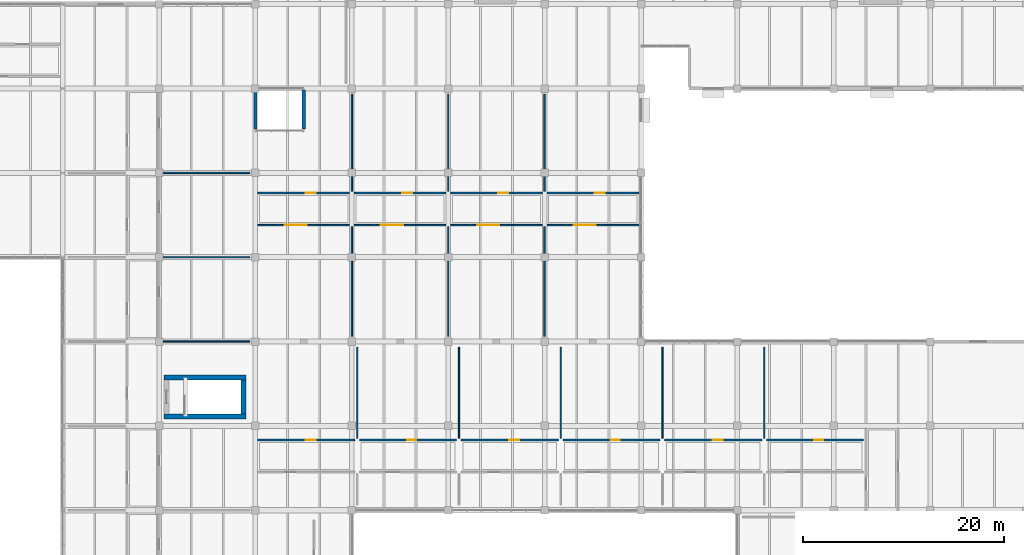
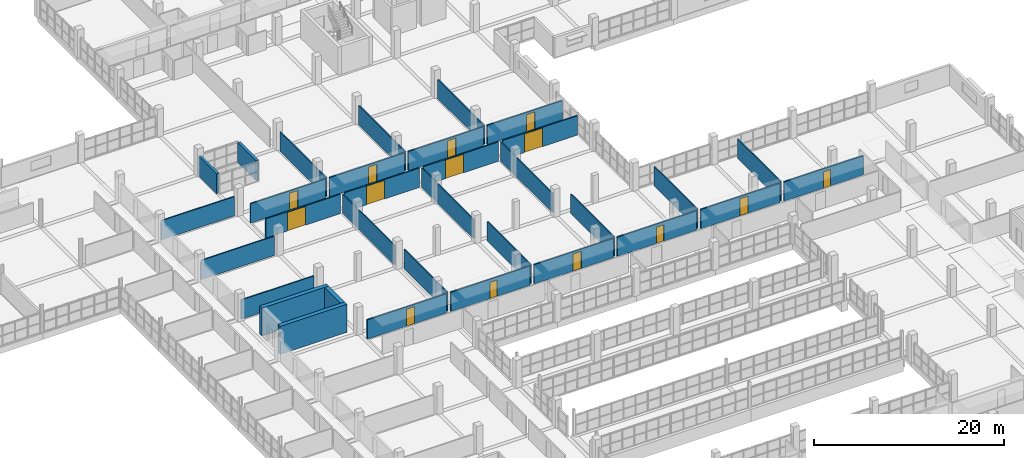
# One storey, part 129 of 147: 33 walls, 14 doors, 14 openings.
"""IFC4 building model written with IfcOpenShell, lengths in metres."""

from ifc_helpers import new_model, si_unit, direction, frame, frame_2d, origin, place, context, subcontext, project, spatial, rectangle, extrude, material, layer, layer_set, type_object, element, fill, save


model = new_model("IFC4")

# Units and contexts
model_context = context("Model", 3, precision=1e-05, world=origin(), true_north=direction((0.0, 1.0)))
body_context = subcontext(model_context, "Body", "Model", "MODEL_VIEW")
ifc_project = project(units=[si_unit("LENGTHUNIT", "METRE"), si_unit("AREAUNIT", "SQUARE_METRE"), si_unit("VOLUMEUNIT", "CUBIC_METRE"), si_unit("PLANEANGLEUNIT", "RADIAN"), si_unit("MASSUNIT", "GRAM", prefix="KILO")], contexts=[model_context])

# Site, building, storey
site_placement = place(None, origin())
site = spatial("IfcSite", under=ifc_project, at=site_placement, CompositionType="ELEMENT")
building_placement = place(site_placement, origin())
building = spatial("IfcBuilding", under=site, at=building_placement, Name="Oolite Switchyard Hospital", CompositionType="ELEMENT")
storey_placement = place(building_placement, frame((0.0, 0.0, 9.89990234375)))
storey = spatial("IfcBuildingStorey", under=building, at=storey_placement, Name="L02", CompositionType="ELEMENT", Elevation=9.89990234375)

# Walls
ifc_material_1 = material(Name="Precast oolitic limestone architectural concrete C40/50", Category="masonry")
ifc_layer_1 = layer(ifc_material_1, 0.300048828125)
ifc_layer_set_1 = layer_set([ifc_layer_1], Name="WAL-EXT-300")
wall_type_1 = type_object("IfcWallType", Name="WAL-EXT-300", PredefinedType="SOLIDWALL", material=ifc_layer_set_1)
wall_1_placement = place(storey_placement, frame((134.39990234375, 100.639892578125, 0.0), z_axis=(0.0, 0.0, 1.0), x_axis=(0.0, -1.0, 0.0)))
element("IfcWall", 1, at=wall_1_placement, inside=storey, type_object=wall_type_1, Name="L02 Exterior Spandrel Wall 161", PredefinedType="SOLIDWALL", context=body_context, shape_type="SweptSolid", body=[
    extrude(rectangle(XDim=3.8798828125, YDim=0.300048828125, at=frame_2d((1.93994140625, 0.0))), origin(), (0.0, 0.0, 1.0), 2.570068359375),
])
ifc_layer_2 = layer(ifc_material_1, 0.320068359375)
ifc_layer_set_2 = layer_set([ifc_layer_2], Name="WAL-EXT-320")
wall_type_2 = type_object("IfcWallType", Name="WAL-EXT-320", PredefinedType="SOLIDWALL", material=ifc_layer_set_2)
wall_2_placement = place(storey_placement, frame((139.199951171875, 96.760009765625, 0.0), z_axis=(0.0, 0.0, 1.0), x_axis=(0.0, 1.0, 0.0)))
element("IfcWall", 2, at=wall_2_placement, inside=storey, type_object=wall_type_2, Name="L02 Exterior Spandrel Wall 162", PredefinedType="SOLIDWALL", context=body_context, shape_type="SweptSolid", body=[
    extrude(rectangle(XDim=3.8798828125, YDim=0.320068359375, at=frame_2d((1.93994140625, 0.0))), origin(), (0.0, 0.0, 1.0), 2.570068359375),
])
ifc_material_2 = material(Name="Moisture-resistant gypsum board on steel studs", Category="steel")
ifc_layer_3 = layer(ifc_material_2, 0.135009765625)
ifc_layer_set_3 = layer_set([ifc_layer_3], Name="WAL-PART-135")
wall_type_3 = type_object("IfcWallType", Name="WAL-PART-135", PredefinedType="PARTITIONING", material=ifc_layer_set_3)
for number, where, z_axis, x_axis, name in (
    (3, (124.949951171875, 75.60009765625, 0.0), (0.0, 0.0, 1.0), (1.0, 0.0, 0.0), "L02 Interior Partition 483"),
    (4, (124.949951171875, 84.0, 0.0), (0.0, 0.0, 1.0), (1.0, 0.0, 0.0), "L02 Interior Partition 487"),
    (5, (124.949951171875, 92.39990234375, 0.0), (0.0, 0.0, 1.0), (1.0, 0.0, 0.0), "L02 Interior Partition 491"),
):
    element("IfcWall", number, at=place(storey_placement, frame(where, z_axis=z_axis, x_axis=x_axis)), inside=storey, type_object=wall_type_3, Name=name, PredefinedType="PARTITIONING", context=body_context, shape_type="SweptSolid", body=[
        extrude(rectangle(XDim=8.900146484375, YDim=0.135009765625, at=frame_2d((4.4501953125, 0.0))), origin(), (0.0, 0.0, 1.0), 2.47998046875),
    ])
wall_3_placement = place(storey_placement, frame((144.0, 76.14990234375, 0.0), z_axis=(0.0, 0.0, 1.0), x_axis=(0.0, 1.0, 0.0)))
element("IfcWall", 6, at=wall_3_placement, inside=storey, type_object=wall_type_3, Name="L02 Interior Partition 509", PredefinedType="PARTITIONING", context=body_context, shape_type="SweptSolid", body=[
    extrude(rectangle(XDim=10.900146484375, YDim=0.135009765625, at=frame_2d((5.4501953125, 0.0))), origin(), (0.0, 0.0, 1.0), 2.47998046875),
])
wall_4_placement = place(storey_placement, frame((144.0, 90.550048828125, 0.0), z_axis=(0.0, 0.0, 1.0), x_axis=(0.0, 1.0, 0.0)))
element("IfcWall", 7, at=wall_4_placement, inside=storey, type_object=wall_type_3, Name="L02 Interior Partition 511", PredefinedType="PARTITIONING", context=body_context, shape_type="SweptSolid", body=[
    extrude(rectangle(XDim=9.699951171875, YDim=0.135009765625, at=frame_2d((4.85009765625, 0.0))), origin(), (0.0, 0.0, 1.0), 2.47998046875),
])
wall_5_placement = place(storey_placement, frame((153.60009765625, 76.14990234375, 0.0), z_axis=(0.0, 0.0, 1.0), x_axis=(0.0, 1.0, 0.0)))
element("IfcWall", 8, at=wall_5_placement, inside=storey, type_object=wall_type_3, Name="L02 Interior Partition 513", PredefinedType="PARTITIONING", context=body_context, shape_type="SweptSolid", body=[
    extrude(rectangle(XDim=10.900146484375, YDim=0.135009765625, at=frame_2d((5.4501953125, 0.0))), origin(), (0.0, 0.0, 1.0), 2.47998046875),
])
wall_6_placement = place(storey_placement, frame((153.60009765625, 90.550048828125, 0.0), z_axis=(0.0, 0.0, 1.0), x_axis=(0.0, 1.0, 0.0)))
element("IfcWall", 9, at=wall_6_placement, inside=storey, type_object=wall_type_3, Name="L02 Interior Partition 515", PredefinedType="PARTITIONING", context=body_context, shape_type="SweptSolid", body=[
    extrude(rectangle(XDim=9.699951171875, YDim=0.135009765625, at=frame_2d((4.85009765625, 0.0))), origin(), (0.0, 0.0, 1.0), 2.47998046875),
])
wall_7_placement = place(storey_placement, frame((163.199951171875, 76.14990234375, 0.0), z_axis=(0.0, 0.0, 1.0), x_axis=(0.0, 1.0, 0.0)))
element("IfcWall", 10, at=wall_7_placement, inside=storey, type_object=wall_type_3, Name="L02 Interior Partition 517", PredefinedType="PARTITIONING", context=body_context, shape_type="SweptSolid", body=[
    extrude(rectangle(XDim=10.900146484375, YDim=0.135009765625, at=frame_2d((5.4501953125, 0.0))), origin(), (0.0, 0.0, 1.0), 2.47998046875),
])
wall_8_placement = place(storey_placement, frame((163.199951171875, 90.550048828125, 0.0), z_axis=(0.0, 0.0, 1.0), x_axis=(0.0, 1.0, 0.0)))
element("IfcWall", 11, at=wall_8_placement, inside=storey, type_object=wall_type_3, Name="L02 Interior Partition 519", PredefinedType="PARTITIONING", context=body_context, shape_type="SweptSolid", body=[
    extrude(rectangle(XDim=9.699951171875, YDim=0.135009765625, at=frame_2d((4.85009765625, 0.0))), origin(), (0.0, 0.0, 1.0), 2.47998046875),
])
for number, where, z_axis, x_axis, name in (
    (12, (144.532958984375, 65.949951171875, 0.0), (0.0, 0.0, 1.0), (0.0, 1.0, 0.0), "L02 Interior Partition 587"),
    (13, (154.666015625, 65.949951171875, 0.0), (0.0, 0.0, 1.0), (0.0, 1.0, 0.0), "L02 Interior Partition 591"),
    (14, (164.799072265625, 65.949951171875, 0.0), (0.0, 0.0, 1.0), (0.0, 1.0, 0.0), "L02 Interior Partition 595"),
    (15, (174.931884765625, 65.949951171875, 0.0), (0.0, 0.0, 1.0), (0.0, 1.0, 0.0), "L02 Interior Partition 599"),
    (16, (185.06494140625, 65.949951171875, 0.0), (0.0, 0.0, 1.0), (0.0, 1.0, 0.0), "L02 Interior Partition 603"),
):
    element("IfcWall", number, at=place(storey_placement, frame(where, z_axis=z_axis, x_axis=x_axis)), inside=storey, type_object=wall_type_3, Name=name, PredefinedType="PARTITIONING", context=body_context, shape_type="SweptSolid", body=[
        extrude(rectangle(XDim=9.10009765625, YDim=0.135009765625, at=frame_2d((4.550048828125, 0.0))), origin(), (0.0, 0.0, 1.0), 2.47998046875),
    ])

# Wall, opening, door
ifc_layer_4 = layer(ifc_material_2, 0.1650390625)
ifc_layer_set_4 = layer_set([ifc_layer_4], Name="WAL-PART-165")
wall_type_4 = type_object("IfcWallType", Name="WAL-PART-165", PredefinedType="PARTITIONING", material=ifc_layer_set_4)
wall_9_placement = place(storey_placement, frame((134.64990234375, 87.199951171875, 0.0), z_axis=(0.0, 0.0, 1.0), x_axis=(1.0, 0.0, 0.0)))
wall_9 = element("IfcWall", 17, at=wall_9_placement, inside=storey, type_object=wall_type_4, Name="L02 Interior Partition 506", PredefinedType="PARTITIONING", context=body_context, shape_type="SweptSolid", body=[
    extrude(rectangle(XDim=9.10009765625, YDim=0.1650390625, at=frame_2d((4.550048828125, 0.0))), origin(), (0.0, 0.0, 1.0), 2.47998046875),
])
opening_1_placement = place(wall_9_placement, frame((2.64990234375, 0.0, 0.0)))
opening_1 = element("IfcOpeningElement", 18, at=opening_1_placement, cuts=wall_9, Name="Opening D-0285", PredefinedType="OPENING", context=body_context, shape_type="SweptSolid", body=[
    extrude(rectangle(XDim=2.199951171875, YDim=2.39990234375, at=frame_2d((1.10009765625, 1.199951171875))), frame((0.0, 0.092529296875, 0.0), z_axis=(0.0, -1.0, 0.0), x_axis=(1.0, 0.0, 0.0)), (0.0, 0.0, 1.0), 0.18505859375),
])
ifc_material_3 = material(Name="Hollow metal fire-rated steel door assembly", Category="steel")
door_type_1 = type_object("IfcDoorType", Name="DR-PLNT-220X240", OperationType="NOTDEFINED", PredefinedType="DOOR", material=ifc_material_3)
door_1_placement = place(opening_1_placement, origin())
door_1 = element("IfcDoor", 19, at=door_1_placement, inside=storey, type_object=door_type_1, Name="L02 Interior Door D-0285", OperationType="DOUBLE_DOOR_SINGLE_SWING", OverallHeight=2.39990234375, OverallWidth=2.199951171875, PredefinedType="DOOR", context=body_context, shape_type="SweptSolid", body=[
    extrude(rectangle(XDim=2.199951171875, YDim=2.39990234375, at=frame_2d((1.10009765625, 1.199951171875))), frame((0.0, 0.02490234375, 0.0), z_axis=(0.0, -1.0, 0.0), x_axis=(1.0, 0.0, 0.0)), (0.0, 0.0, 1.0), 0.050048828125),
])
fill(opening_1, door_1)

wall_10_placement = place(storey_placement, frame((134.64990234375, 90.39990234375, 0.0), z_axis=(0.0, 0.0, 1.0), x_axis=(1.0, 0.0, 0.0)))
wall_10 = element("IfcWall", 20, at=wall_10_placement, inside=storey, type_object=wall_type_4, Name="L02 Interior Partition 507", PredefinedType="PARTITIONING", context=body_context, shape_type="SweptSolid", body=[
    extrude(rectangle(XDim=9.10009765625, YDim=0.1650390625, at=frame_2d((4.550048828125, 0.0))), origin(), (0.0, 0.0, 1.0), 2.47998046875),
])
opening_2_placement = place(wall_10_placement, frame((4.75, 0.0, 0.0)))
opening_2 = element("IfcOpeningElement", 21, at=opening_2_placement, cuts=wall_10, Name="Opening D-0286", PredefinedType="OPENING", context=body_context, shape_type="SweptSolid", body=[
    extrude(rectangle(XDim=1.0, YDim=2.199951171875, at=frame_2d((0.5, 1.10009765625))), frame((0.0, 0.092529296875, 0.0), z_axis=(0.0, -1.0, 0.0), x_axis=(1.0, 0.0, 0.0)), (0.0, 0.0, 1.0), 0.18505859375),
])
ifc_material_4 = material(Name="Solid-core antimicrobial hardwood leaf in steel frame", Category="steel")
door_type_2 = type_object("IfcDoorType", Name="DR-OFF-100X220", OperationType="NOTDEFINED", PredefinedType="DOOR", material=ifc_material_4)
door_2_placement = place(opening_2_placement, origin())
door_2 = element("IfcDoor", 22, at=door_2_placement, inside=storey, type_object=door_type_2, Name="L02 Interior Door D-0286", OperationType="SINGLE_SWING_RIGHT", OverallHeight=2.199951171875, OverallWidth=1.0, PredefinedType="DOOR", context=body_context, shape_type="SweptSolid", body=[
    extrude(rectangle(XDim=1.0, YDim=2.199951171875, at=frame_2d((0.5, 1.10009765625))), frame((0.0, 0.02490234375, 0.0), z_axis=(0.0, -1.0, 0.0), x_axis=(1.0, 0.0, 0.0)), (0.0, 0.0, 1.0), 0.050048828125),
])
fill(opening_2, door_2)

wall_11_placement = place(storey_placement, frame((144.25, 87.199951171875, 0.0), z_axis=(0.0, 0.0, 1.0), x_axis=(1.0, 0.0, 0.0)))
wall_11 = element("IfcWall", 23, at=wall_11_placement, inside=storey, type_object=wall_type_4, Name="L02 Interior Partition 508", PredefinedType="PARTITIONING", context=body_context, shape_type="SweptSolid", body=[
    extrude(rectangle(XDim=9.10009765625, YDim=0.1650390625, at=frame_2d((4.550048828125, 0.0))), origin(), (0.0, 0.0, 1.0), 2.47998046875),
])
opening_3_placement = place(wall_11_placement, frame((2.64990234375, 0.0, 0.0)))
opening_3 = element("IfcOpeningElement", 24, at=opening_3_placement, cuts=wall_11, Name="Opening D-0287", PredefinedType="OPENING", context=body_context, shape_type="SweptSolid", body=[
    extrude(rectangle(XDim=2.199951171875, YDim=2.39990234375, at=frame_2d((1.10009765625, 1.199951171875))), frame((0.0, 0.092529296875, 0.0), z_axis=(0.0, -1.0, 0.0), x_axis=(1.0, 0.0, 0.0)), (0.0, 0.0, 1.0), 0.18505859375),
])
door_3_placement = place(opening_3_placement, origin())
door_3 = element("IfcDoor", 25, at=door_3_placement, inside=storey, type_object=door_type_1, Name="L02 Interior Door D-0287", OperationType="DOUBLE_DOOR_SINGLE_SWING", OverallHeight=2.39990234375, OverallWidth=2.199951171875, PredefinedType="DOOR", context=body_context, shape_type="SweptSolid", body=[
    extrude(rectangle(XDim=2.199951171875, YDim=2.39990234375, at=frame_2d((1.10009765625, 1.199951171875))), frame((0.0, 0.02490234375, 0.0), z_axis=(0.0, -1.0, 0.0), x_axis=(1.0, 0.0, 0.0)), (0.0, 0.0, 1.0), 0.050048828125),
])
fill(opening_3, door_3)

wall_12_placement = place(storey_placement, frame((144.25, 90.39990234375, 0.0), z_axis=(0.0, 0.0, 1.0), x_axis=(1.0, 0.0, 0.0)))
wall_12 = element("IfcWall", 26, at=wall_12_placement, inside=storey, type_object=wall_type_4, Name="L02 Interior Partition 510", PredefinedType="PARTITIONING", context=body_context, shape_type="SweptSolid", body=[
    extrude(rectangle(XDim=9.10009765625, YDim=0.1650390625, at=frame_2d((4.550048828125, 0.0))), origin(), (0.0, 0.0, 1.0), 2.47998046875),
])
opening_4_placement = place(wall_12_placement, frame((4.75, 0.0, 0.0)))
opening_4 = element("IfcOpeningElement", 27, at=opening_4_placement, cuts=wall_12, Name="Opening D-0288", PredefinedType="OPENING", context=body_context, shape_type="SweptSolid", body=[
    extrude(rectangle(XDim=1.0, YDim=2.199951171875, at=frame_2d((0.5, 1.10009765625))), frame((0.0, 0.092529296875, 0.0), z_axis=(0.0, -1.0, 0.0), x_axis=(1.0, 0.0, 0.0)), (0.0, 0.0, 1.0), 0.18505859375),
])
door_4_placement = place(opening_4_placement, origin())
door_4 = element("IfcDoor", 28, at=door_4_placement, inside=storey, type_object=door_type_2, Name="L02 Interior Door D-0288", OperationType="SINGLE_SWING_LEFT", OverallHeight=2.199951171875, OverallWidth=1.0, PredefinedType="DOOR", context=body_context, shape_type="SweptSolid", body=[
    extrude(rectangle(XDim=1.0, YDim=2.199951171875, at=frame_2d((0.5, 1.10009765625))), frame((0.0, 0.02490234375, 0.0), z_axis=(0.0, -1.0, 0.0), x_axis=(1.0, 0.0, 0.0)), (0.0, 0.0, 1.0), 0.050048828125),
])
fill(opening_4, door_4)

wall_13_placement = place(storey_placement, frame((153.85009765625, 87.199951171875, 0.0), z_axis=(0.0, 0.0, 1.0), x_axis=(1.0, 0.0, 0.0)))
wall_13 = element("IfcWall", 29, at=wall_13_placement, inside=storey, type_object=wall_type_4, Name="L02 Interior Partition 512", PredefinedType="PARTITIONING", context=body_context, shape_type="SweptSolid", body=[
    extrude(rectangle(XDim=9.099853515625, YDim=0.1650390625, at=frame_2d((4.5498046875, 0.0))), origin(), (0.0, 0.0, 1.0), 2.47998046875),
])
opening_5_placement = place(wall_13_placement, frame((2.64990234375, 0.0, 0.0)))
opening_5 = element("IfcOpeningElement", 30, at=opening_5_placement, cuts=wall_13, Name="Opening D-0289", PredefinedType="OPENING", context=body_context, shape_type="SweptSolid", body=[
    extrude(rectangle(XDim=2.199951171875, YDim=2.39990234375, at=frame_2d((1.10009765625, 1.199951171875))), frame((0.0, 0.092529296875, 0.0), z_axis=(0.0, -1.0, 0.0), x_axis=(1.0, 0.0, 0.0)), (0.0, 0.0, 1.0), 0.18505859375),
])
door_5_placement = place(opening_5_placement, origin())
door_5 = element("IfcDoor", 31, at=door_5_placement, inside=storey, type_object=door_type_1, Name="L02 Interior Door D-0289", OperationType="DOUBLE_DOOR_SINGLE_SWING", OverallHeight=2.39990234375, OverallWidth=2.199951171875, PredefinedType="DOOR", context=body_context, shape_type="SweptSolid", body=[
    extrude(rectangle(XDim=2.199951171875, YDim=2.39990234375, at=frame_2d((1.10009765625, 1.199951171875))), frame((0.0, 0.02490234375, 0.0), z_axis=(0.0, -1.0, 0.0), x_axis=(1.0, 0.0, 0.0)), (0.0, 0.0, 1.0), 0.050048828125),
])
fill(opening_5, door_5)

wall_14_placement = place(storey_placement, frame((153.85009765625, 90.39990234375, 0.0), z_axis=(0.0, 0.0, 1.0), x_axis=(1.0, 0.0, 0.0)))
wall_14 = element("IfcWall", 32, at=wall_14_placement, inside=storey, type_object=wall_type_4, Name="L02 Interior Partition 514", PredefinedType="PARTITIONING", context=body_context, shape_type="SweptSolid", body=[
    extrude(rectangle(XDim=9.099853515625, YDim=0.1650390625, at=frame_2d((4.5498046875, 0.0))), origin(), (0.0, 0.0, 1.0), 2.47998046875),
])
opening_6_placement = place(wall_14_placement, frame((4.75, 0.0, 0.0)))
opening_6 = element("IfcOpeningElement", 33, at=opening_6_placement, cuts=wall_14, Name="Opening D-0290", PredefinedType="OPENING", context=body_context, shape_type="SweptSolid", body=[
    extrude(rectangle(XDim=1.0, YDim=2.199951171875, at=frame_2d((0.5, 1.10009765625))), frame((0.0, 0.092529296875, 0.0), z_axis=(0.0, -1.0, 0.0), x_axis=(1.0, 0.0, 0.0)), (0.0, 0.0, 1.0), 0.18505859375),
])
door_6_placement = place(opening_6_placement, origin())
door_6 = element("IfcDoor", 34, at=door_6_placement, inside=storey, type_object=door_type_2, Name="L02 Interior Door D-0290", OperationType="SINGLE_SWING_RIGHT", OverallHeight=2.199951171875, OverallWidth=1.0, PredefinedType="DOOR", context=body_context, shape_type="SweptSolid", body=[
    extrude(rectangle(XDim=1.0, YDim=2.199951171875, at=frame_2d((0.5, 1.10009765625))), frame((0.0, 0.02490234375, 0.0), z_axis=(0.0, -1.0, 0.0), x_axis=(1.0, 0.0, 0.0)), (0.0, 0.0, 1.0), 0.050048828125),
])
fill(opening_6, door_6)

wall_15_placement = place(storey_placement, frame((163.449951171875, 87.199951171875, 0.0), z_axis=(0.0, 0.0, 1.0), x_axis=(1.0, 0.0, 0.0)))
wall_15 = element("IfcWall", 35, at=wall_15_placement, inside=storey, type_object=wall_type_4, Name="L02 Interior Partition 516", PredefinedType="PARTITIONING", context=body_context, shape_type="SweptSolid", body=[
    extrude(rectangle(XDim=9.10009765625, YDim=0.1650390625, at=frame_2d((4.550048828125, 0.0))), origin(), (0.0, 0.0, 1.0), 2.47998046875),
])
opening_7_placement = place(wall_15_placement, frame((2.64990234375, 0.0, 0.0)))
opening_7 = element("IfcOpeningElement", 36, at=opening_7_placement, cuts=wall_15, Name="Opening D-0291", PredefinedType="OPENING", context=body_context, shape_type="SweptSolid", body=[
    extrude(rectangle(XDim=2.199951171875, YDim=2.39990234375, at=frame_2d((1.10009765625, 1.199951171875))), frame((0.0, 0.092529296875, 0.0), z_axis=(0.0, -1.0, 0.0), x_axis=(1.0, 0.0, 0.0)), (0.0, 0.0, 1.0), 0.18505859375),
])
door_7_placement = place(opening_7_placement, origin())
door_7 = element("IfcDoor", 37, at=door_7_placement, inside=storey, type_object=door_type_1, Name="L02 Interior Door D-0291", OperationType="DOUBLE_DOOR_SINGLE_SWING", OverallHeight=2.39990234375, OverallWidth=2.199951171875, PredefinedType="DOOR", context=body_context, shape_type="SweptSolid", body=[
    extrude(rectangle(XDim=2.199951171875, YDim=2.39990234375, at=frame_2d((1.10009765625, 1.199951171875))), frame((0.0, 0.02490234375, 0.0), z_axis=(0.0, -1.0, 0.0), x_axis=(1.0, 0.0, 0.0)), (0.0, 0.0, 1.0), 0.050048828125),
])
fill(opening_7, door_7)

wall_16_placement = place(storey_placement, frame((163.449951171875, 90.39990234375, 0.0), z_axis=(0.0, 0.0, 1.0), x_axis=(1.0, 0.0, 0.0)))
wall_16 = element("IfcWall", 38, at=wall_16_placement, inside=storey, type_object=wall_type_4, Name="L02 Interior Partition 518", PredefinedType="PARTITIONING", context=body_context, shape_type="SweptSolid", body=[
    extrude(rectangle(XDim=9.10009765625, YDim=0.1650390625, at=frame_2d((4.550048828125, 0.0))), origin(), (0.0, 0.0, 1.0), 2.47998046875),
])
opening_8_placement = place(wall_16_placement, frame((4.75, 0.0, 0.0)))
opening_8 = element("IfcOpeningElement", 39, at=opening_8_placement, cuts=wall_16, Name="Opening D-0292", PredefinedType="OPENING", context=body_context, shape_type="SweptSolid", body=[
    extrude(rectangle(XDim=1.0, YDim=2.199951171875, at=frame_2d((0.5, 1.10009765625))), frame((0.0, 0.092529296875, 0.0), z_axis=(0.0, -1.0, 0.0), x_axis=(1.0, 0.0, 0.0)), (0.0, 0.0, 1.0), 0.18505859375),
])
door_8_placement = place(opening_8_placement, origin())
door_8 = element("IfcDoor", 40, at=door_8_placement, inside=storey, type_object=door_type_2, Name="L02 Interior Door D-0292", OperationType="SINGLE_SWING_LEFT", OverallHeight=2.199951171875, OverallWidth=1.0, PredefinedType="DOOR", context=body_context, shape_type="SweptSolid", body=[
    extrude(rectangle(XDim=1.0, YDim=2.199951171875, at=frame_2d((0.5, 1.10009765625))), frame((0.0, 0.02490234375, 0.0), z_axis=(0.0, -1.0, 0.0), x_axis=(1.0, 0.0, 0.0)), (0.0, 0.0, 1.0), 0.050048828125),
])
fill(opening_8, door_8)

wall_17_placement = place(storey_placement, frame((134.64990234375, 65.800048828125, 0.0), z_axis=(0.0, 0.0, 1.0), x_axis=(1.0, 0.0, 0.0)))
wall_17 = element("IfcWall", 41, at=wall_17_placement, inside=storey, type_object=wall_type_4, Name="L02 Interior Partition 583", PredefinedType="PARTITIONING", context=body_context, shape_type="SweptSolid", body=[
    extrude(rectangle(XDim=9.633056640625, YDim=0.1650390625, at=frame_2d((4.81640625, 0.0))), origin(), (0.0, 0.0, 1.0), 2.47998046875),
])
opening_9_placement = place(wall_17_placement, frame((4.75, 0.0, 0.0)))
opening_9 = element("IfcOpeningElement", 42, at=opening_9_placement, cuts=wall_17, Name="Opening D-0328", PredefinedType="OPENING", context=body_context, shape_type="SweptSolid", body=[
    extrude(rectangle(XDim=1.0, YDim=2.199951171875, at=frame_2d((0.5, 1.10009765625))), frame((0.0, 0.092529296875, 0.0), z_axis=(0.0, -1.0, 0.0), x_axis=(1.0, 0.0, 0.0)), (0.0, 0.0, 1.0), 0.18505859375),
])
door_9_placement = place(opening_9_placement, origin())
door_9 = element("IfcDoor", 43, at=door_9_placement, inside=storey, type_object=door_type_2, Name="L02 Interior Door D-0328", OperationType="SINGLE_SWING_RIGHT", OverallHeight=2.199951171875, OverallWidth=1.0, PredefinedType="DOOR", context=body_context, shape_type="SweptSolid", body=[
    extrude(rectangle(XDim=1.0, YDim=2.199951171875, at=frame_2d((0.5, 1.10009765625))), frame((0.0, 0.02490234375, 0.0), z_axis=(0.0, -1.0, 0.0), x_axis=(1.0, 0.0, 0.0)), (0.0, 0.0, 1.0), 0.050048828125),
])
fill(opening_9, door_9)

wall_18_placement = place(storey_placement, frame((144.782958984375, 65.800048828125, 0.0), z_axis=(0.0, 0.0, 1.0), x_axis=(1.0, 0.0, 0.0)))
wall_18 = element("IfcWall", 44, at=wall_18_placement, inside=storey, type_object=wall_type_4, Name="L02 Interior Partition 586", PredefinedType="PARTITIONING", context=body_context, shape_type="SweptSolid", body=[
    extrude(rectangle(XDim=9.633056640625, YDim=0.1650390625, at=frame_2d((4.81640625, 0.0))), origin(), (0.0, 0.0, 1.0), 2.47998046875),
])
opening_10_placement = place(wall_18_placement, frame((4.75, 0.0, 0.0)))
opening_10 = element("IfcOpeningElement", 45, at=opening_10_placement, cuts=wall_18, Name="Opening D-0330", PredefinedType="OPENING", context=body_context, shape_type="SweptSolid", body=[
    extrude(rectangle(XDim=0.89990234375, YDim=2.10009765625, at=frame_2d((0.449951171875, 1.050048828125))), frame((0.0, 0.092529296875, 0.0), z_axis=(0.0, -1.0, 0.0), x_axis=(1.0, 0.0, 0.0)), (0.0, 0.0, 1.0), 0.18505859375),
])
door_type_3 = type_object("IfcDoorType", Name="DR-BATH-090X210", OperationType="NOTDEFINED", PredefinedType="DOOR", material=ifc_material_4)
door_10_placement = place(opening_10_placement, origin())
door_10 = element("IfcDoor", 46, at=door_10_placement, inside=storey, type_object=door_type_3, Name="L02 Interior Door D-0330", OperationType="SINGLE_SWING_LEFT", OverallHeight=2.10009765625, OverallWidth=0.89990234375, PredefinedType="DOOR", context=body_context, shape_type="SweptSolid", body=[
    extrude(rectangle(XDim=0.89990234375, YDim=2.10009765625, at=frame_2d((0.449951171875, 1.050048828125))), frame((0.0, 0.02490234375, 0.0), z_axis=(0.0, -1.0, 0.0), x_axis=(1.0, 0.0, 0.0)), (0.0, 0.0, 1.0), 0.050048828125),
])
fill(opening_10, door_10)

wall_19_placement = place(storey_placement, frame((154.916015625, 65.800048828125, 0.0), z_axis=(0.0, 0.0, 1.0), x_axis=(1.0, 0.0, 0.0)))
wall_19 = element("IfcWall", 47, at=wall_19_placement, inside=storey, type_object=wall_type_4, Name="L02 Interior Partition 590", PredefinedType="PARTITIONING", context=body_context, shape_type="SweptSolid", body=[
    extrude(rectangle(XDim=9.633056640625, YDim=0.1650390625, at=frame_2d((4.81640625, 0.0))), origin(), (0.0, 0.0, 1.0), 2.47998046875),
])
opening_11_placement = place(wall_19_placement, frame((4.75, 0.0, 0.0)))
opening_11 = element("IfcOpeningElement", 48, at=opening_11_placement, cuts=wall_19, Name="Opening D-0332", PredefinedType="OPENING", context=body_context, shape_type="SweptSolid", body=[
    extrude(rectangle(XDim=1.0, YDim=2.199951171875, at=frame_2d((0.5, 1.10009765625))), frame((0.0, 0.092529296875, 0.0), z_axis=(0.0, -1.0, 0.0), x_axis=(1.0, 0.0, 0.0)), (0.0, 0.0, 1.0), 0.18505859375),
])
door_11_placement = place(opening_11_placement, origin())
door_11 = element("IfcDoor", 49, at=door_11_placement, inside=storey, type_object=door_type_2, Name="L02 Interior Door D-0332", OperationType="SINGLE_SWING_RIGHT", OverallHeight=2.199951171875, OverallWidth=1.0, PredefinedType="DOOR", context=body_context, shape_type="SweptSolid", body=[
    extrude(rectangle(XDim=1.0, YDim=2.199951171875, at=frame_2d((0.5, 1.10009765625))), frame((0.0, 0.02490234375, 0.0), z_axis=(0.0, -1.0, 0.0), x_axis=(1.0, 0.0, 0.0)), (0.0, 0.0, 1.0), 0.050048828125),
])
fill(opening_11, door_11)

wall_20_placement = place(storey_placement, frame((165.049072265625, 65.800048828125, 0.0), z_axis=(0.0, 0.0, 1.0), x_axis=(1.0, 0.0, 0.0)))
wall_20 = element("IfcWall", 50, at=wall_20_placement, inside=storey, type_object=wall_type_4, Name="L02 Interior Partition 594", PredefinedType="PARTITIONING", context=body_context, shape_type="SweptSolid", body=[
    extrude(rectangle(XDim=9.6328125, YDim=0.1650390625, at=frame_2d((4.81640625, 0.0))), origin(), (0.0, 0.0, 1.0), 2.47998046875),
])
opening_12_placement = place(wall_20_placement, frame((4.75, 0.0, 0.0)))
opening_12 = element("IfcOpeningElement", 51, at=opening_12_placement, cuts=wall_20, Name="Opening D-0334", PredefinedType="OPENING", context=body_context, shape_type="SweptSolid", body=[
    extrude(rectangle(XDim=0.89990234375, YDim=2.10009765625, at=frame_2d((0.449951171875, 1.050048828125))), frame((0.0, 0.092529296875, 0.0), z_axis=(0.0, -1.0, 0.0), x_axis=(1.0, 0.0, 0.0)), (0.0, 0.0, 1.0), 0.18505859375),
])
door_12_placement = place(opening_12_placement, origin())
door_12 = element("IfcDoor", 52, at=door_12_placement, inside=storey, type_object=door_type_3, Name="L02 Interior Door D-0334", OperationType="SINGLE_SWING_LEFT", OverallHeight=2.10009765625, OverallWidth=0.89990234375, PredefinedType="DOOR", context=body_context, shape_type="SweptSolid", body=[
    extrude(rectangle(XDim=0.89990234375, YDim=2.10009765625, at=frame_2d((0.449951171875, 1.050048828125))), frame((0.0, 0.02490234375, 0.0), z_axis=(0.0, -1.0, 0.0), x_axis=(1.0, 0.0, 0.0)), (0.0, 0.0, 1.0), 0.050048828125),
])
fill(opening_12, door_12)

wall_21_placement = place(storey_placement, frame((175.181884765625, 65.800048828125, 0.0), z_axis=(0.0, 0.0, 1.0), x_axis=(1.0, 0.0, 0.0)))
wall_21 = element("IfcWall", 53, at=wall_21_placement, inside=storey, type_object=wall_type_4, Name="L02 Interior Partition 598", PredefinedType="PARTITIONING", context=body_context, shape_type="SweptSolid", body=[
    extrude(rectangle(XDim=9.633056640625, YDim=0.1650390625, at=frame_2d((4.81640625, 0.0))), origin(), (0.0, 0.0, 1.0), 2.47998046875),
])
opening_13_placement = place(wall_21_placement, frame((4.75, 0.0, 0.0)))
opening_13 = element("IfcOpeningElement", 54, at=opening_13_placement, cuts=wall_21, Name="Opening D-0336", PredefinedType="OPENING", context=body_context, shape_type="SweptSolid", body=[
    extrude(rectangle(XDim=1.0, YDim=2.199951171875, at=frame_2d((0.5, 1.10009765625))), frame((0.0, 0.092529296875, 0.0), z_axis=(0.0, -1.0, 0.0), x_axis=(1.0, 0.0, 0.0)), (0.0, 0.0, 1.0), 0.18505859375),
])
door_13_placement = place(opening_13_placement, origin())
door_13 = element("IfcDoor", 55, at=door_13_placement, inside=storey, type_object=door_type_2, Name="L02 Interior Door D-0336", OperationType="SINGLE_SWING_RIGHT", OverallHeight=2.199951171875, OverallWidth=1.0, PredefinedType="DOOR", context=body_context, shape_type="SweptSolid", body=[
    extrude(rectangle(XDim=1.0, YDim=2.199951171875, at=frame_2d((0.5, 1.10009765625))), frame((0.0, 0.02490234375, 0.0), z_axis=(0.0, -1.0, 0.0), x_axis=(1.0, 0.0, 0.0)), (0.0, 0.0, 1.0), 0.050048828125),
])
fill(opening_13, door_13)

wall_22_placement = place(storey_placement, frame((185.31494140625, 65.800048828125, 0.0), z_axis=(0.0, 0.0, 1.0), x_axis=(1.0, 0.0, 0.0)))
wall_22 = element("IfcWall", 56, at=wall_22_placement, inside=storey, type_object=wall_type_4, Name="L02 Interior Partition 602", PredefinedType="PARTITIONING", context=body_context, shape_type="SweptSolid", body=[
    extrude(rectangle(XDim=9.633056640625, YDim=0.1650390625, at=frame_2d((4.81640625, 0.0))), origin(), (0.0, 0.0, 1.0), 2.47998046875),
])
opening_14_placement = place(wall_22_placement, frame((4.75, 0.0, 0.0)))
opening_14 = element("IfcOpeningElement", 57, at=opening_14_placement, cuts=wall_22, Name="Opening D-0338", PredefinedType="OPENING", context=body_context, shape_type="SweptSolid", body=[
    extrude(rectangle(XDim=0.89990234375, YDim=2.10009765625, at=frame_2d((0.449951171875, 1.050048828125))), frame((0.0, 0.092529296875, 0.0), z_axis=(0.0, -1.0, 0.0), x_axis=(1.0, 0.0, 0.0)), (0.0, 0.0, 1.0), 0.18505859375),
])
door_14_placement = place(opening_14_placement, origin())
door_14 = element("IfcDoor", 58, at=door_14_placement, inside=storey, type_object=door_type_3, Name="L02 Interior Door D-0338", OperationType="SINGLE_SWING_LEFT", OverallHeight=2.10009765625, OverallWidth=0.89990234375, PredefinedType="DOOR", context=body_context, shape_type="SweptSolid", body=[
    extrude(rectangle(XDim=0.89990234375, YDim=2.10009765625, at=frame_2d((0.449951171875, 1.050048828125))), frame((0.0, 0.02490234375, 0.0), z_axis=(0.0, -1.0, 0.0), x_axis=(1.0, 0.0, 0.0)), (0.0, 0.0, 1.0), 0.050048828125),
])
fill(opening_14, door_14)

# Walls
ifc_material_5 = material(Name="Concrete C50/60", Category="concrete")
ifc_layer_5 = layer(ifc_material_5, 0.5)
ifc_layer_set_5 = layer_set([ifc_layer_5], Name="WAL-SHR-500")
wall_type_5 = type_object("IfcWallType", Name="WAL-SHR-500", PredefinedType="SHEAR", material=ifc_layer_set_5)
wall_23_placement = place(storey_placement, frame((125.300048828125, 68.14990234375, 0.0), z_axis=(0.0, 0.0, 1.0), x_axis=(1.0, 0.0, 0.0)))
element("IfcWall", 59, at=wall_23_placement, inside=storey, type_object=wall_type_5, Name="L02 Core Shear Wall ST-10", PredefinedType="SHEAR", context=body_context, shape_type="SweptSolid", body=[
    extrude(rectangle(XDim=8.14990234375, YDim=0.5, at=frame_2d((4.074951171875, 0.0))), origin(), (0.0, 0.0, 1.0), 3.60009765625),
])
wall_24_placement = place(storey_placement, frame((133.199951171875, 68.39990234375, 0.0), z_axis=(0.0, 0.0, 1.0), x_axis=(0.0, 1.0, 0.0)))
element("IfcWall", 60, at=wall_24_placement, inside=storey, type_object=wall_type_5, Name="L02 Core Shear Wall ST-10", PredefinedType="SHEAR", context=body_context, shape_type="SweptSolid", body=[
    extrude(rectangle(XDim=3.360107421875, YDim=0.5, at=frame_2d((1.68017578125, 0.0))), origin(), (0.0, 0.0, 1.0), 3.60009765625),
])
wall_25_placement = place(storey_placement, frame((133.449951171875, 72.010009765625, 0.0), z_axis=(0.0, 0.0, 1.0), x_axis=(-1.0, 0.0, 0.0)))
element("IfcWall", 61, at=wall_25_placement, inside=storey, type_object=wall_type_5, Name="L02 Core Shear Wall ST-10", PredefinedType="SHEAR", context=body_context, shape_type="SweptSolid", body=[
    extrude(rectangle(XDim=8.14990234375, YDim=0.5, at=frame_2d((4.074951171875, 0.0))), origin(), (0.0, 0.0, 1.0), 3.60009765625),
])

save(model, "model.ifc")
